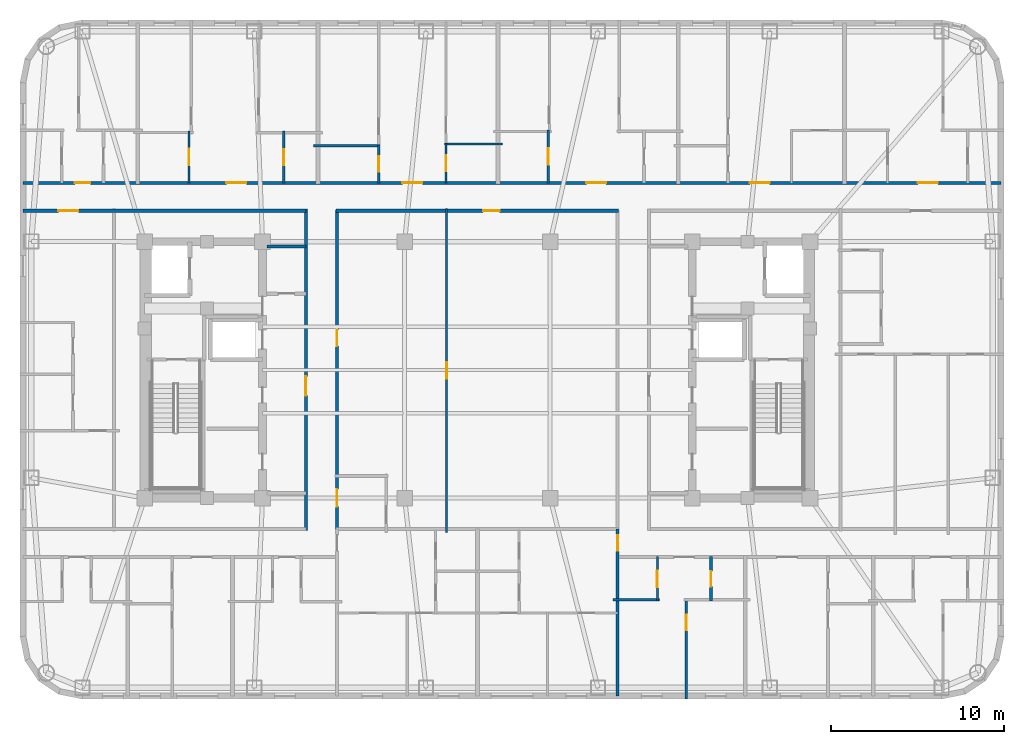
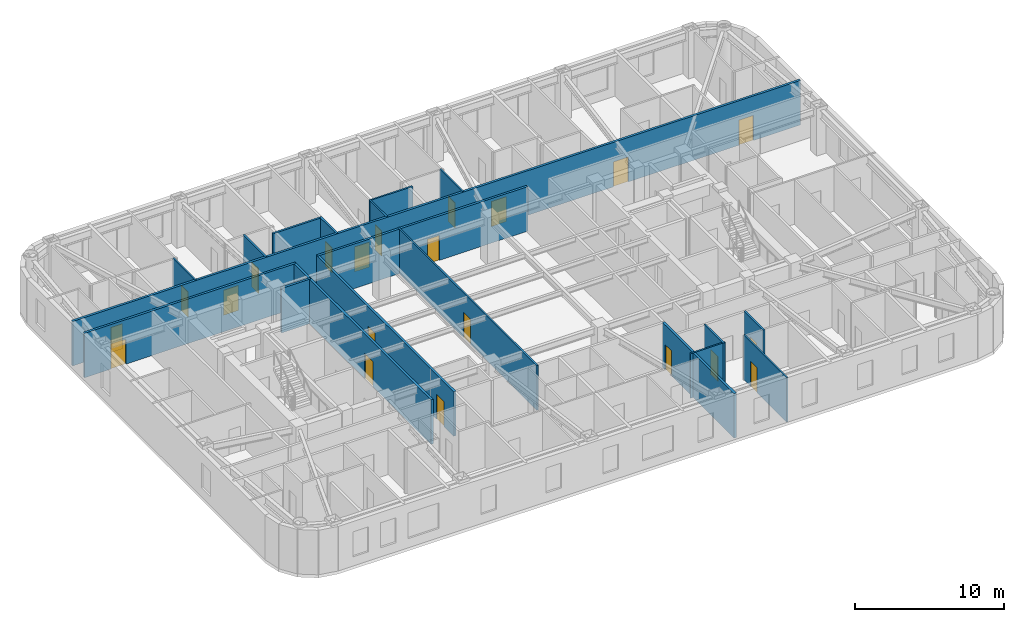
# One storey, part 5 of 11: 21 doors, 19 walls, 21 openings.
"""IFC4 building model written with IfcOpenShell, lengths in metres."""

from ifc_helpers import new_model, si_unit, direction, frame, frame_2d, origin, place, context, subcontext, project, spatial, rectangle, extrude, material, layer, layer_set, type_object, element, fill, save


model = new_model("IFC4")

# Units and contexts
model_context = context("Model", 3, precision=1e-05, world=origin(), true_north=direction((0.0, 1.0)))
body_context = subcontext(model_context, "Body", "Model", "MODEL_VIEW")
ifc_project = project(units=[si_unit("LENGTHUNIT", "METRE"), si_unit("AREAUNIT", "SQUARE_METRE"), si_unit("VOLUMEUNIT", "CUBIC_METRE"), si_unit("PLANEANGLEUNIT", "RADIAN"), si_unit("MASSUNIT", "GRAM", prefix="KILO")], contexts=[model_context])

# Site, building, storey
site_placement = place(None, origin())
site = spatial("IfcSite", under=ifc_project, at=site_placement, CompositionType="ELEMENT")
building_placement = place(site_placement, origin())
building = spatial("IfcBuilding", under=site, at=building_placement, Name="Voryun Gate Residences", CompositionType="ELEMENT")
storey_placement = place(building_placement, frame((0.0, 0.0, 223.60009765625)))
storey = spatial("IfcBuildingStorey", under=building, at=storey_placement, Name="L55", CompositionType="ELEMENT", Elevation=223.60009765625)

# Wall
ifc_material_1 = material(Name="Gypsum acoustic fireboard")
ifc_layer_1 = layer(ifc_material_1, 0.179931640625, Name="W_CORR_RATED_180")
ifc_layer_set_1 = layer_set([ifc_layer_1], Name="Gypsum acoustic fireboard")
wall_type_1 = type_object("IfcWallType", Name="W_CORR_RATED_180", PredefinedType="PARTITIONING", material=ifc_layer_set_1)
wall_1_placement = place(storey_placement, frame((-12.14990234375, 7.1201171875, 0.0), z_axis=(0.0, 0.0, 1.0), x_axis=(1.0, 0.0, 0.0)))
element("IfcWall", 1, at=wall_1_placement, inside=storey, type_object=wall_type_1, Name="Partition wall WP-L55-PLBN-W", PredefinedType="PARTITIONING", context=body_context, shape_type="SweptSolid", body=[
    extrude(rectangle(XDim=2.27001953125, YDim=0.179931640625, at=frame_2d((1.135009765625, 0.0))), origin(), (0.0, 0.0, 1.0), 3.64990234375),
])

# Wall, opening, door
wall_2_placement = place(storey_placement, frame((-9.89990234375, -9.280029296875, 0.0), z_axis=(0.0, 0.0, 1.0), x_axis=(0.0, 1.0, 0.0)))
wall_2 = element("IfcWall", 2, at=wall_2_placement, inside=storey, type_object=wall_type_1, Name="Partition wall WP-L55-PLBW-FULL", PredefinedType="PARTITIONING", context=body_context, shape_type="SweptSolid", body=[
    extrude(rectangle(XDim=18.56005859375, YDim=0.179931640625, at=frame_2d((9.280029296875, 0.0))), origin(), (0.0, 0.0, 1.0), 3.64990234375),
])
opening_1_placement = place(wall_2_placement, frame((7.802001953125, 0.0, 0.0)))
opening_1 = element("IfcOpeningElement", 3, at=opening_1_placement, cuts=wall_2, Name="Opening D-FD60-2", PredefinedType="OPENING", context=body_context, shape_type="SweptSolid", body=[
    extrude(rectangle(XDim=1.10009765625, YDim=2.050048828125, at=frame_2d((0.550048828125, 1.02490234375))), frame((0.0, 0.099853515625, 0.0), z_axis=(0.0, -1.0, 0.0), x_axis=(1.0, 0.0, 0.0)), (0.0, 0.0, 1.0), 0.199951171875),
])
ifc_material_2 = material(Name="Painted steel fire door", Category="steel")
door_type_1 = type_object("IfcDoorType", Name="DR_FD60_FFLOB_1100", OperationType="NOTDEFINED", PredefinedType="DOOR", material=ifc_material_2)
door_1_placement = place(opening_1_placement, origin())
door_1 = element("IfcDoor", 4, at=door_1_placement, inside=storey, type_object=door_type_1, Name="Door DR-L55-PLBW-COR", OperationType="SINGLE_SWING_LEFT", OverallHeight=2.050048828125, OverallWidth=1.10009765625, PredefinedType="DOOR", context=body_context, shape_type="SweptSolid", body=[
    extrude(rectangle(XDim=1.10009765625, YDim=2.050048828125, at=frame_2d((0.550048828125, 1.02490234375))), frame((0.0, 0.02490234375, 0.0), z_axis=(0.0, -1.0, 0.0), x_axis=(1.0, 0.0, 0.0)), (0.0, 0.0, 1.0), 0.050048828125),
])
fill(opening_1, door_1)

wall_3_placement = place(storey_placement, frame((-26.22998046875, 9.18994140625, 0.0), z_axis=(0.0, 0.0, 1.0), x_axis=(1.0, 0.0, 0.0)))
wall_3 = element("IfcWall", 5, at=wall_3_placement, inside=storey, type_object=wall_type_1, Name="Partition wall WP-L55-CWING-WN", PredefinedType="PARTITIONING", context=body_context, shape_type="SweptSolid", body=[
    extrude(rectangle(XDim=16.35009765625, YDim=0.179931640625, at=frame_2d((8.175048828125, 0.0))), origin(), (0.0, 0.0, 1.0), 3.64990234375),
])
opening_2_placement = place(wall_3_placement, frame((2.05078125, 0.0, 0.0)))
opening_2 = element("IfcOpeningElement", 6, at=opening_2_placement, cuts=wall_3, Name="Opening D-UNIT-1", PredefinedType="OPENING", context=body_context, shape_type="SweptSolid", body=[
    extrude(rectangle(XDim=1.14990234375, YDim=2.050048828125, at=frame_2d((0.574951171875, 1.02490234375))), frame((0.0, 0.099853515625, 0.0), z_axis=(0.0, -1.0, 0.0), x_axis=(1.0, 0.0, 0.0)), (0.0, 0.0, 1.0), 0.199951171875),
])
ifc_material_3 = material(Name="Armoured timber-clad fire door", Category="wood")
door_type_2 = type_object("IfcDoorType", Name="DR_UNIT_ENTRY_1150", OperationType="NOTDEFINED", PredefinedType="DOOR", material=ifc_material_3)
door_2_placement = place(opening_2_placement, origin())
door_2 = element("IfcDoor", 7, at=door_2_placement, inside=storey, type_object=door_type_2, Name="Door DR-L55-WE1N", OperationType="SINGLE_SWING_LEFT", OverallHeight=2.050048828125, OverallWidth=1.14990234375, PredefinedType="DOOR", context=body_context, shape_type="SweptSolid", body=[
    extrude(rectangle(XDim=1.14990234375, YDim=2.050048828125, at=frame_2d((0.574951171875, 1.02490234375))), frame((0.0, 0.02490234375, 0.0), z_axis=(0.0, -1.0, 0.0), x_axis=(1.0, 0.0, 0.0)), (0.0, 0.0, 1.0), 0.050048828125),
])
fill(opening_2, door_2)

wall_4_placement = place(storey_placement, frame((-8.14990234375, 9.18994140625, 0.0), z_axis=(0.0, 0.0, 1.0), x_axis=(1.0, 0.0, 0.0)))
wall_4 = element("IfcWall", 8, at=wall_4_placement, inside=storey, type_object=wall_type_1, Name="Partition wall WP-L55-Z3N", PredefinedType="PARTITIONING", context=body_context, shape_type="SweptSolid", body=[
    extrude(rectangle(XDim=16.2998046875, YDim=0.179931640625, at=frame_2d((8.14990234375, 0.0))), origin(), (0.0, 0.0, 1.0), 3.64990234375),
])
opening_3_placement = place(wall_4_placement, frame((8.489990234375, 0.0, 0.0)))
opening_3 = element("IfcOpeningElement", 9, at=opening_3_placement, cuts=wall_4, Name="Opening D-INT-1", PredefinedType="OPENING", context=body_context, shape_type="SweptSolid", body=[
    extrude(rectangle(XDim=0.949951171875, YDim=2.050048828125, at=frame_2d((0.47509765625, 1.02490234375))), frame((0.0, 0.099853515625, 0.0), z_axis=(0.0, -1.0, 0.0), x_axis=(1.0, 0.0, 0.0)), (0.0, 0.0, 1.0), 0.199951171875),
])
ifc_material_4 = material(Name="Architectural oak veneer")
door_type_3 = type_object("IfcDoorType", Name="DR_INT_ROOM_950", OperationType="NOTDEFINED", PredefinedType="DOOR", material=ifc_material_4)
door_3_placement = place(opening_3_placement, origin())
door_3 = element("IfcDoor", 10, at=door_3_placement, inside=storey, type_object=door_type_3, Name="Door DR-L55-CMIDZ3N", OperationType="SINGLE_SWING_LEFT", OverallHeight=2.050048828125, OverallWidth=0.949951171875, PredefinedType="DOOR", context=body_context, shape_type="SweptSolid", body=[
    extrude(rectangle(XDim=0.949951171875, YDim=2.050048828125, at=frame_2d((0.47509765625, 1.02490234375))), frame((0.0, 0.02490234375, 0.0), z_axis=(0.0, -1.0, 0.0), x_axis=(1.0, 0.0, 0.0)), (0.0, 0.0, 1.0), 0.050048828125),
])
fill(opening_3, door_3)

# Wall, openings, doors
wall_5_placement = place(storey_placement, frame((-8.10009765625, -9.22998046875, 0.0), z_axis=(0.0, 0.0, 1.0), x_axis=(0.0, 1.0, 0.0)))
wall_5 = element("IfcWall", 11, at=wall_5_placement, inside=storey, type_object=wall_type_1, Name="Partition wall WP-L55-Z3W", PredefinedType="PARTITIONING", context=body_context, shape_type="SweptSolid", body=[
    extrude(rectangle(XDim=18.4599609375, YDim=0.179931640625, at=frame_2d((9.22998046875, 0.0))), origin(), (0.0, 0.0, 1.0), 3.64990234375),
])
opening_4_placement = place(wall_5_placement, frame((1.345947265625, 0.0, 0.0)))
opening_4 = element("IfcOpeningElement", 12, at=opening_4_placement, cuts=wall_5, Name="Opening D-AWC-1", PredefinedType="OPENING", context=body_context, shape_type="SweptSolid", body=[
    extrude(rectangle(XDim=1.0, YDim=2.050048828125, at=frame_2d((0.5, 1.02490234375))), frame((0.0, 0.099853515625, 0.0), z_axis=(0.0, -1.0, 0.0), x_axis=(1.0, 0.0, 0.0)), (0.0, 0.0, 1.0), 0.199951171875),
])
opening_5_placement = place(wall_5_placement, frame((10.60107421875, 0.0, 0.0)))
opening_5 = element("IfcOpeningElement", 13, at=opening_5_placement, cuts=wall_5, Name="Opening D-INT-1", PredefinedType="OPENING", context=body_context, shape_type="SweptSolid", body=[
    extrude(rectangle(XDim=0.949951171875, YDim=2.050048828125, at=frame_2d((0.47509765625, 1.02490234375))), frame((0.0, 0.099853515625, 0.0), z_axis=(0.0, -1.0, 0.0), x_axis=(1.0, 0.0, 0.0)), (0.0, 0.0, 1.0), 0.199951171875),
])
ifc_material_5 = material(Name="Architectural oak veneer")
door_type_4 = type_object("IfcDoorType", Name="DR_ACC_WC_1000", OperationType="NOTDEFINED", PredefinedType="DOOR", material=ifc_material_5)
door_4_placement = place(opening_4_placement, origin())
door_4 = element("IfcDoor", 14, at=door_4_placement, inside=storey, type_object=door_type_4, Name="Door DR-L55-CMWC-D", OperationType="SINGLE_SWING_LEFT", OverallHeight=2.050048828125, OverallWidth=1.0, PredefinedType="DOOR", context=body_context, shape_type="SweptSolid", body=[
    extrude(rectangle(XDim=1.0, YDim=2.050048828125, at=frame_2d((0.5, 1.02490234375))), frame((0.0, 0.02490234375, 0.0), z_axis=(0.0, -1.0, 0.0), x_axis=(1.0, 0.0, 0.0)), (0.0, 0.0, 1.0), 0.050048828125),
])
fill(opening_4, door_4)
door_5_placement = place(opening_5_placement, origin())
door_5 = element("IfcDoor", 15, at=door_5_placement, inside=storey, type_object=door_type_3, Name="Door DR-L55-CMIDZ3W", OperationType="SINGLE_SWING_RIGHT", OverallHeight=2.050048828125, OverallWidth=0.949951171875, PredefinedType="DOOR", context=body_context, shape_type="SweptSolid", body=[
    extrude(rectangle(XDim=0.949951171875, YDim=2.050048828125, at=frame_2d((0.47509765625, 1.02490234375))), frame((0.0, 0.02490234375, 0.0), z_axis=(0.0, -1.0, 0.0), x_axis=(1.0, 0.0, 0.0)), (0.0, 0.0, 1.0), 0.050048828125),
])
fill(opening_5, door_5)

wall_6_placement = place(storey_placement, frame((-26.22998046875, 10.800048828125, 0.0), z_axis=(0.0, 0.0, 1.0), x_axis=(1.0, 0.0, 0.0)))
wall_6 = element("IfcWall", 16, at=wall_6_placement, inside=storey, type_object=wall_type_1, Name="Partition wall WP-L55-NCORR", PredefinedType="PARTITIONING", context=body_context, shape_type="SweptSolid", body=[
    extrude(rectangle(XDim=56.4599609375, YDim=0.179931640625, at=frame_2d((28.22998046875, 0.0))), origin(), (0.0, 0.0, 1.0), 3.64990234375),
])
opening_6_placement = place(wall_6_placement, frame((2.994140625, 0.0, 0.0)))
opening_6 = element("IfcOpeningElement", 17, at=opening_6_placement, cuts=wall_6, Name="Opening D-INT-2", PredefinedType="OPENING", context=body_context, shape_type="SweptSolid", body=[
    extrude(rectangle(XDim=0.89990234375, YDim=2.050048828125, at=frame_2d((0.449951171875, 1.02490234375))), frame((0.0, 0.099853515625, 0.0), z_axis=(0.0, -1.0, 0.0), x_axis=(1.0, 0.0, 0.0)), (0.0, 0.0, 1.0), 0.199951171875),
])
opening_7_placement = place(wall_6_placement, frame((11.74462890625, 0.0, 0.0)))
opening_7 = element("IfcOpeningElement", 18, at=opening_7_placement, cuts=wall_6, Name="Opening D-UNIT-1", PredefinedType="OPENING", context=body_context, shape_type="SweptSolid", body=[
    extrude(rectangle(XDim=1.14990234375, YDim=2.050048828125, at=frame_2d((0.574951171875, 1.02490234375))), frame((0.0, 0.099853515625, 0.0), z_axis=(0.0, -1.0, 0.0), x_axis=(1.0, 0.0, 0.0)), (0.0, 0.0, 1.0), 0.199951171875),
])
opening_8_placement = place(wall_6_placement, frame((21.907470703125, 0.0, 0.0)))
opening_8 = element("IfcOpeningElement", 19, at=opening_8_placement, cuts=wall_6, Name="Opening D-UNIT-1", PredefinedType="OPENING", context=body_context, shape_type="SweptSolid", body=[
    extrude(rectangle(XDim=1.14990234375, YDim=2.050048828125, at=frame_2d((0.574951171875, 1.02490234375))), frame((0.0, 0.099853515625, 0.0), z_axis=(0.0, -1.0, 0.0), x_axis=(1.0, 0.0, 0.0)), (0.0, 0.0, 1.0), 0.199951171875),
])
opening_9_placement = place(wall_6_placement, frame((32.51611328125, 0.0, 0.0)))
opening_9 = element("IfcOpeningElement", 20, at=opening_9_placement, cuts=wall_6, Name="Opening D-UNIT-1", PredefinedType="OPENING", context=body_context, shape_type="SweptSolid", body=[
    extrude(rectangle(XDim=1.14990234375, YDim=2.050048828125, at=frame_2d((0.574951171875, 1.02490234375))), frame((0.0, 0.099853515625, 0.0), z_axis=(0.0, -1.0, 0.0), x_axis=(1.0, 0.0, 0.0)), (0.0, 0.0, 1.0), 0.199951171875),
])
opening_10_placement = place(wall_6_placement, frame((41.956298828125, 0.0, 0.0)))
opening_10 = element("IfcOpeningElement", 21, at=opening_10_placement, cuts=wall_6, Name="Opening D-UNIT-1", PredefinedType="OPENING", context=body_context, shape_type="SweptSolid", body=[
    extrude(rectangle(XDim=1.14990234375, YDim=2.050048828125, at=frame_2d((0.574951171875, 1.02490234375))), frame((0.0, 0.099853515625, 0.0), z_axis=(0.0, -1.0, 0.0), x_axis=(1.0, 0.0, 0.0)), (0.0, 0.0, 1.0), 0.199951171875),
])
opening_11_placement = place(wall_6_placement, frame((51.656005859375, 0.0, 0.0)))
opening_11 = element("IfcOpeningElement", 22, at=opening_11_placement, cuts=wall_6, Name="Opening D-UNIT-1", PredefinedType="OPENING", context=body_context, shape_type="SweptSolid", body=[
    extrude(rectangle(XDim=1.14990234375, YDim=2.050048828125, at=frame_2d((0.574951171875, 1.02490234375))), frame((0.0, 0.099853515625, 0.0), z_axis=(0.0, -1.0, 0.0), x_axis=(1.0, 0.0, 0.0)), (0.0, 0.0, 1.0), 0.199951171875),
])
ifc_material_6 = material(Name="Architectural oak veneer")
door_type_5 = type_object("IfcDoorType", Name="DR_INT_BATH_900", OperationType="NOTDEFINED", PredefinedType="DOOR", material=ifc_material_6)
door_6_placement = place(opening_6_placement, origin())
door_6 = element("IfcDoor", 23, at=door_6_placement, inside=storey, type_object=door_type_5, Name="Door DR-L55-NENT-1", OperationType="SINGLE_SWING_LEFT", OverallHeight=2.050048828125, OverallWidth=0.89990234375, PredefinedType="DOOR", context=body_context, shape_type="SweptSolid", body=[
    extrude(rectangle(XDim=0.89990234375, YDim=2.050048828125, at=frame_2d((0.449951171875, 1.02490234375))), frame((0.0, 0.02490234375, 0.0), z_axis=(0.0, -1.0, 0.0), x_axis=(1.0, 0.0, 0.0)), (0.0, 0.0, 1.0), 0.050048828125),
])
fill(opening_6, door_6)
door_7_placement = place(opening_7_placement, origin())
door_7 = element("IfcDoor", 24, at=door_7_placement, inside=storey, type_object=door_type_2, Name="Door DR-L55-NENT-2", OperationType="SINGLE_SWING_RIGHT", OverallHeight=2.050048828125, OverallWidth=1.14990234375, PredefinedType="DOOR", context=body_context, shape_type="SweptSolid", body=[
    extrude(rectangle(XDim=1.14990234375, YDim=2.050048828125, at=frame_2d((0.574951171875, 1.02490234375))), frame((0.0, 0.02490234375, 0.0), z_axis=(0.0, -1.0, 0.0), x_axis=(1.0, 0.0, 0.0)), (0.0, 0.0, 1.0), 0.050048828125),
])
fill(opening_7, door_7)
door_8_placement = place(opening_8_placement, origin())
door_8 = element("IfcDoor", 25, at=door_8_placement, inside=storey, type_object=door_type_2, Name="Door DR-L55-NENT-3", OperationType="SINGLE_SWING_LEFT", OverallHeight=2.050048828125, OverallWidth=1.14990234375, PredefinedType="DOOR", context=body_context, shape_type="SweptSolid", body=[
    extrude(rectangle(XDim=1.14990234375, YDim=2.050048828125, at=frame_2d((0.574951171875, 1.02490234375))), frame((0.0, 0.02490234375, 0.0), z_axis=(0.0, -1.0, 0.0), x_axis=(1.0, 0.0, 0.0)), (0.0, 0.0, 1.0), 0.050048828125),
])
fill(opening_8, door_8)
door_9_placement = place(opening_9_placement, origin())
door_9 = element("IfcDoor", 26, at=door_9_placement, inside=storey, type_object=door_type_2, Name="Door DR-L55-NENT-4", OperationType="SINGLE_SWING_RIGHT", OverallHeight=2.050048828125, OverallWidth=1.14990234375, PredefinedType="DOOR", context=body_context, shape_type="SweptSolid", body=[
    extrude(rectangle(XDim=1.14990234375, YDim=2.050048828125, at=frame_2d((0.574951171875, 1.02490234375))), frame((0.0, 0.02490234375, 0.0), z_axis=(0.0, -1.0, 0.0), x_axis=(1.0, 0.0, 0.0)), (0.0, 0.0, 1.0), 0.050048828125),
])
fill(opening_9, door_9)
door_10_placement = place(opening_10_placement, origin())
door_10 = element("IfcDoor", 27, at=door_10_placement, inside=storey, type_object=door_type_2, Name="Door DR-L55-NENT-5", OperationType="SINGLE_SWING_LEFT", OverallHeight=2.050048828125, OverallWidth=1.14990234375, PredefinedType="DOOR", context=body_context, shape_type="SweptSolid", body=[
    extrude(rectangle(XDim=1.14990234375, YDim=2.050048828125, at=frame_2d((0.574951171875, 1.02490234375))), frame((0.0, 0.02490234375, 0.0), z_axis=(0.0, -1.0, 0.0), x_axis=(1.0, 0.0, 0.0)), (0.0, 0.0, 1.0), 0.050048828125),
])
fill(opening_10, door_10)
door_11_placement = place(opening_11_placement, origin())
door_11 = element("IfcDoor", 28, at=door_11_placement, inside=storey, type_object=door_type_2, Name="Door DR-L55-NENT-6", OperationType="SINGLE_SWING_RIGHT", OverallHeight=2.050048828125, OverallWidth=1.14990234375, PredefinedType="DOOR", context=body_context, shape_type="SweptSolid", body=[
    extrude(rectangle(XDim=1.14990234375, YDim=2.050048828125, at=frame_2d((0.574951171875, 1.02490234375))), frame((0.0, 0.02490234375, 0.0), z_axis=(0.0, -1.0, 0.0), x_axis=(1.0, 0.0, 0.0)), (0.0, 0.0, 1.0), 0.050048828125),
])
fill(opening_11, door_11)

# Wall, opening, door
wall_7_placement = place(storey_placement, frame((8.10009765625, -18.830078125, 0.0), z_axis=(0.0, 0.0, 1.0), x_axis=(0.0, 1.0, 0.0)))
wall_7 = element("IfcWall", 29, at=wall_7_placement, inside=storey, type_object=wall_type_1, Name="Partition wall WP-L55-SZV-2", PredefinedType="PARTITIONING", context=body_context, shape_type="SweptSolid", body=[
    extrude(rectangle(XDim=9.64013671875, YDim=0.179931640625, at=frame_2d((4.820068359375, 0.0))), origin(), (0.0, 0.0, 1.0), 3.64990234375),
])
opening_12_placement = place(wall_7_placement, frame((8.389892578125, 0.0, 0.0)))
opening_12 = element("IfcOpeningElement", 30, at=opening_12_placement, cuts=wall_7, Name="Opening D-INT-2", PredefinedType="OPENING", context=body_context, shape_type="SweptSolid", body=[
    extrude(rectangle(XDim=0.89990234375, YDim=2.050048828125, at=frame_2d((0.449951171875, 1.02490234375))), frame((0.0, 0.099853515625, 0.0), z_axis=(0.0, -1.0, 0.0), x_axis=(1.0, 0.0, 0.0)), (0.0, 0.0, 1.0), 0.199951171875),
])
door_12_placement = place(opening_12_placement, origin())
door_12 = element("IfcDoor", 31, at=door_12_placement, inside=storey, type_object=door_type_5, Name="Door DR-L55-SZENT-2", OperationType="SINGLE_SWING_RIGHT", OverallHeight=2.050048828125, OverallWidth=0.89990234375, PredefinedType="DOOR", context=body_context, shape_type="SweptSolid", body=[
    extrude(rectangle(XDim=0.89990234375, YDim=2.050048828125, at=frame_2d((0.449951171875, 1.02490234375))), frame((0.0, 0.02490234375, 0.0), z_axis=(0.0, -1.0, 0.0), x_axis=(1.0, 0.0, 0.0)), (0.0, 0.0, 1.0), 0.050048828125),
])
fill(opening_12, door_12)

ifc_material_7 = material(Name="Gypsum acoustic partition")
ifc_layer_2 = layer(ifc_material_7, 0.125, Name="W_UNIT_PART_125")
ifc_layer_set_2 = layer_set([ifc_layer_2], Name="Gypsum acoustic partition")
wall_type_2 = type_object("IfcWallType", Name="W_UNIT_PART_125", PredefinedType="PARTITIONING", material=ifc_layer_set_2)
wall_8_placement = place(storey_placement, frame((-1.77294921875, -9.3701171875, 0.0), z_axis=(0.0, 0.0, 1.0), x_axis=(0.0, 1.0, 0.0)))
wall_8 = element("IfcWall", 32, at=wall_8_placement, inside=storey, type_object=wall_type_2, Name="Partition wall WP-L55-MIDX-0", PredefinedType="PARTITIONING", context=body_context, shape_type="SweptSolid", body=[
    extrude(rectangle(XDim=18.690185546875, YDim=0.125, at=frame_2d((9.34521484375, 0.0))), origin(), (0.0, 0.0, 1.0), 3.64990234375),
])
opening_13_placement = place(wall_8_placement, frame((8.8701171875, 0.0, 0.0)))
opening_13 = element("IfcOpeningElement", 33, at=opening_13_placement, cuts=wall_8, Name="Opening D-INT-1", PredefinedType="OPENING", context=body_context, shape_type="SweptSolid", body=[
    extrude(rectangle(XDim=0.949951171875, YDim=2.050048828125, at=frame_2d((0.47509765625, 1.02490234375))), frame((0.0, 0.072509765625, 0.0), z_axis=(0.0, -1.0, 0.0), x_axis=(1.0, 0.0, 0.0)), (0.0, 0.0, 1.0), 0.14501953125),
])
door_13_placement = place(opening_13_placement, origin())
door_13 = element("IfcDoor", 34, at=door_13_placement, inside=storey, type_object=door_type_3, Name="Door DR-L55-MIDX-0", OperationType="SINGLE_SWING_LEFT", OverallHeight=2.050048828125, OverallWidth=0.949951171875, PredefinedType="DOOR", context=body_context, shape_type="SweptSolid", body=[
    extrude(rectangle(XDim=0.949951171875, YDim=2.050048828125, at=frame_2d((0.47509765625, 1.02490234375))), frame((0.0, 0.02490234375, 0.0), z_axis=(0.0, -1.0, 0.0), x_axis=(1.0, 0.0, 0.0)), (0.0, 0.0, 1.0), 0.050048828125),
])
fill(opening_13, door_13)

wall_9_placement = place(storey_placement, frame((-16.64111328125, 10.780029296875, 0.0), z_axis=(0.0, 0.0, 1.0), x_axis=(0.0, 1.0, 0.0)))
wall_9 = element("IfcWall", 35, at=wall_9_placement, inside=storey, type_object=wall_type_2, Name="Partition wall WP-L55-N2-IVK", PredefinedType="PARTITIONING", context=body_context, shape_type="SweptSolid", body=[
    extrude(rectangle(XDim=3.0, YDim=0.125, at=frame_2d((1.5, 0.0))), origin(), (0.0, 0.0, 1.0), 3.64990234375),
])
opening_14_placement = place(wall_9_placement, frame((1.02490234375, 0.0, 0.0)))
opening_14 = element("IfcOpeningElement", 36, at=opening_14_placement, cuts=wall_9, Name="Opening D-INT-1", PredefinedType="OPENING", context=body_context, shape_type="SweptSolid", body=[
    extrude(rectangle(XDim=0.949951171875, YDim=2.050048828125, at=frame_2d((0.47509765625, 1.02490234375))), frame((0.0, 0.072509765625, 0.0), z_axis=(0.0, -1.0, 0.0), x_axis=(1.0, 0.0, 0.0)), (0.0, 0.0, 1.0), 0.14501953125),
])
door_14_placement = place(opening_14_placement, origin())
door_14 = element("IfcDoor", 37, at=door_14_placement, inside=storey, type_object=door_type_3, Name="Door DR-L55-N2-DK", OperationType="SINGLE_SWING_LEFT", OverallHeight=2.050048828125, OverallWidth=0.949951171875, PredefinedType="DOOR", context=body_context, shape_type="SweptSolid", body=[
    extrude(rectangle(XDim=0.949951171875, YDim=2.050048828125, at=frame_2d((0.47509765625, 1.02490234375))), frame((0.0, 0.02490234375, 0.0), z_axis=(0.0, -1.0, 0.0), x_axis=(1.0, 0.0, 0.0)), (0.0, 0.0, 1.0), 0.050048828125),
])
fill(opening_14, door_14)

# Wall
wall_10_placement = place(storey_placement, frame((-1.889892578125, 13.0400390625, 0.0), z_axis=(0.0, 0.0, 1.0), x_axis=(1.0, 0.0, 0.0)))
element("IfcWall", 38, at=wall_10_placement, inside=storey, type_object=wall_type_2, Name="Partition wall WP-L55-N3-RHY", PredefinedType="PARTITIONING", context=body_context, shape_type="SweptSolid", body=[
    extrude(rectangle(XDim=3.349853515625, YDim=0.125, at=frame_2d((1.6748046875, 0.0))), origin(), (0.0, 0.0, 1.0), 3.64990234375),
])

# Wall, opening, door
wall_11_placement = place(storey_placement, frame((-1.81005859375, 10.780029296875, 0.0), z_axis=(0.0, 0.0, 1.0), x_axis=(0.0, 1.0, 0.0)))
wall_11 = element("IfcWall", 39, at=wall_11_placement, inside=storey, type_object=wall_type_2, Name="Partition wall WP-L55-N3-RVX1", PredefinedType="PARTITIONING", context=body_context, shape_type="SweptSolid", body=[
    extrude(rectangle(XDim=2.300048828125, YDim=0.125, at=frame_2d((1.14990234375, 0.0))), origin(), (0.0, 0.0, 1.0), 3.64990234375),
])
opening_15_placement = place(wall_11_placement, frame((0.699951171875, 0.0, 0.0)))
opening_15 = element("IfcOpeningElement", 40, at=opening_15_placement, cuts=wall_11, Name="Opening D-INT-2", PredefinedType="OPENING", context=body_context, shape_type="SweptSolid", body=[
    extrude(rectangle(XDim=0.89990234375, YDim=2.050048828125, at=frame_2d((0.449951171875, 1.02490234375))), frame((0.0, 0.072509765625, 0.0), z_axis=(0.0, -1.0, 0.0), x_axis=(1.0, 0.0, 0.0)), (0.0, 0.0, 1.0), 0.14501953125),
])
door_15_placement = place(opening_15_placement, origin())
door_15 = element("IfcDoor", 41, at=door_15_placement, inside=storey, type_object=door_type_5, Name="Door DR-L55-N3-DK", OperationType="SINGLE_SWING_RIGHT", OverallHeight=2.050048828125, OverallWidth=0.89990234375, PredefinedType="DOOR", context=body_context, shape_type="SweptSolid", body=[
    extrude(rectangle(XDim=0.89990234375, YDim=2.050048828125, at=frame_2d((0.449951171875, 1.02490234375))), frame((0.0, 0.02490234375, 0.0), z_axis=(0.0, -1.0, 0.0), x_axis=(1.0, 0.0, 0.0)), (0.0, 0.0, 1.0), 0.050048828125),
])
fill(opening_15, door_15)

wall_12_placement = place(storey_placement, frame((4.096923828125, 10.780029296875, 0.0), z_axis=(0.0, 0.0, 1.0), x_axis=(0.0, 1.0, 0.0)))
wall_12 = element("IfcWall", 42, at=wall_12_placement, inside=storey, type_object=wall_type_2, Name="Partition wall WP-L55-N4-IVK", PredefinedType="PARTITIONING", context=body_context, shape_type="SweptSolid", body=[
    extrude(rectangle(XDim=3.069091796875, YDim=0.125, at=frame_2d((1.53466796875, 0.0))), origin(), (0.0, 0.0, 1.0), 3.64990234375),
])
opening_16_placement = place(wall_12_placement, frame((1.0595703125, 0.0, 0.0)))
opening_16 = element("IfcOpeningElement", 43, at=opening_16_placement, cuts=wall_12, Name="Opening D-INT-1", PredefinedType="OPENING", context=body_context, shape_type="SweptSolid", body=[
    extrude(rectangle(XDim=0.949951171875, YDim=2.050048828125, at=frame_2d((0.47509765625, 1.02490234375))), frame((0.0, 0.072509765625, 0.0), z_axis=(0.0, -1.0, 0.0), x_axis=(1.0, 0.0, 0.0)), (0.0, 0.0, 1.0), 0.14501953125),
])
door_16_placement = place(opening_16_placement, origin())
door_16 = element("IfcDoor", 44, at=door_16_placement, inside=storey, type_object=door_type_3, Name="Door DR-L55-N4-DK", OperationType="SINGLE_SWING_LEFT", OverallHeight=2.050048828125, OverallWidth=0.949951171875, PredefinedType="DOOR", context=body_context, shape_type="SweptSolid", body=[
    extrude(rectangle(XDim=0.949951171875, YDim=2.050048828125, at=frame_2d((0.47509765625, 1.02490234375))), frame((0.0, 0.02490234375, 0.0), z_axis=(0.0, -1.0, 0.0), x_axis=(1.0, 0.0, 0.0)), (0.0, 0.0, 1.0), 0.050048828125),
])
fill(opening_16, door_16)

wall_13_placement = place(storey_placement, frame((12.055908203125, -18.97998046875, 0.0), z_axis=(0.0, 0.0, 1.0), x_axis=(0.0, 1.0, 0.0)))
wall_13 = element("IfcWall", 45, at=wall_13_placement, inside=storey, type_object=wall_type_2, Name="Partition wall WP-L55-S5-OVR", PredefinedType="PARTITIONING", context=body_context, shape_type="SweptSolid", body=[
    extrude(rectangle(XDim=5.794921875, YDim=0.125, at=frame_2d((2.8974609375, 0.0))), origin(), (0.0, 0.0, 1.0), 3.64990234375),
])
opening_17_placement = place(wall_13_placement, frame((3.9541015625, 0.0, 0.0)))
opening_17 = element("IfcOpeningElement", 46, at=opening_17_placement, cuts=wall_13, Name="Opening D-INT-2", PredefinedType="OPENING", context=body_context, shape_type="SweptSolid", body=[
    extrude(rectangle(XDim=0.89990234375, YDim=2.050048828125, at=frame_2d((0.449951171875, 1.02490234375))), frame((0.0, 0.072509765625, 0.0), z_axis=(0.0, -1.0, 0.0), x_axis=(1.0, 0.0, 0.0)), (0.0, 0.0, 1.0), 0.14501953125),
])
door_17_placement = place(opening_17_placement, origin())
door_17 = element("IfcDoor", 47, at=door_17_placement, inside=storey, type_object=door_type_5, Name="Door DR-L55-S5-DMB", OperationType="SINGLE_SWING_RIGHT", OverallHeight=2.050048828125, OverallWidth=0.89990234375, PredefinedType="DOOR", context=body_context, shape_type="SweptSolid", body=[
    extrude(rectangle(XDim=0.89990234375, YDim=2.050048828125, at=frame_2d((0.449951171875, 1.02490234375))), frame((0.0, 0.02490234375, 0.0), z_axis=(0.0, -1.0, 0.0), x_axis=(1.0, 0.0, 0.0)), (0.0, 0.0, 1.0), 0.050048828125),
])
fill(opening_17, door_17)

wall_14_placement = place(storey_placement, frame((10.389892578125, -13.344970703125, 0.0), z_axis=(0.0, 0.0, 1.0), x_axis=(0.0, 1.0, 0.0)))
wall_14 = element("IfcWall", 48, at=wall_14_placement, inside=storey, type_object=wall_type_2, Name="Partition wall WP-L55-S5-IVK", PredefinedType="PARTITIONING", context=body_context, shape_type="SweptSolid", body=[
    extrude(rectangle(XDim=2.56494140625, YDim=0.125, at=frame_2d((1.282470703125, 0.0))), origin(), (0.0, 0.0, 1.0), 3.64990234375),
])
opening_18_placement = place(wall_14_placement, frame((0.8076171875, 0.0, 0.0)))
opening_18 = element("IfcOpeningElement", 49, at=opening_18_placement, cuts=wall_14, Name="Opening D-INT-1", PredefinedType="OPENING", context=body_context, shape_type="SweptSolid", body=[
    extrude(rectangle(XDim=0.949951171875, YDim=2.050048828125, at=frame_2d((0.47509765625, 1.02490234375))), frame((0.0, 0.072509765625, 0.0), z_axis=(0.0, -1.0, 0.0), x_axis=(1.0, 0.0, 0.0)), (0.0, 0.0, 1.0), 0.14501953125),
])
door_18_placement = place(opening_18_placement, origin())
door_18 = element("IfcDoor", 50, at=door_18_placement, inside=storey, type_object=door_type_3, Name="Door DR-L55-S5-DK", OperationType="SINGLE_SWING_LEFT", OverallHeight=2.050048828125, OverallWidth=0.949951171875, PredefinedType="DOOR", context=body_context, shape_type="SweptSolid", body=[
    extrude(rectangle(XDim=0.949951171875, YDim=2.050048828125, at=frame_2d((0.47509765625, 1.02490234375))), frame((0.0, 0.02490234375, 0.0), z_axis=(0.0, -1.0, 0.0), x_axis=(1.0, 0.0, 0.0)), (0.0, 0.0, 1.0), 0.050048828125),
])
fill(opening_18, door_18)

# Wall
wall_15_placement = place(storey_placement, frame((7.820068359375, -13.264892578125, 0.0), z_axis=(0.0, 0.0, 1.0), x_axis=(1.0, 0.0, 0.0)))
element("IfcWall", 51, at=wall_15_placement, inside=storey, type_object=wall_type_2, Name="Partition wall WP-L55-S5-HZK", PredefinedType="PARTITIONING", context=body_context, shape_type="SweptSolid", body=[
    extrude(rectangle(XDim=2.68994140625, YDim=0.125, at=frame_2d((1.344970703125, 0.0))), origin(), (0.0, 0.0, 1.0), 3.64990234375),
])

# Wall, opening, door
ifc_material_8 = material(Name="Gypsum moisture-resistant partition")
ifc_layer_3 = layer(ifc_material_8, 0.14990234375, Name="W_WET_PLUMB_150")
ifc_layer_set_3 = layer_set([ifc_layer_3], Name="Gypsum moisture-resistant partition")
wall_type_3 = type_object("IfcWallType", Name="W_WET_PLUMB_150", PredefinedType="PLUMBINGWALL", material=ifc_layer_set_3)
wall_16_placement = place(storey_placement, frame((-11.179931640625, 10.780029296875, 0.0), z_axis=(0.0, 0.0, 1.0), x_axis=(0.0, 1.0, 0.0)))
wall_16 = element("IfcWall", 52, at=wall_16_placement, inside=storey, type_object=wall_type_3, Name="Partition wall WP-L55-N2-IVB", PredefinedType="PLUMBINGWALL", context=body_context, shape_type="SweptSolid", body=[
    extrude(rectangle(XDim=3.0, YDim=0.14990234375, at=frame_2d((1.5, 0.0))), origin(), (0.0, 0.0, 1.0), 3.64990234375),
])
opening_19_placement = place(wall_16_placement, frame((1.050048828125, 0.0, 0.0)))
opening_19 = element("IfcOpeningElement", 53, at=opening_19_placement, cuts=wall_16, Name="Opening D-INT-2", PredefinedType="OPENING", context=body_context, shape_type="SweptSolid", body=[
    extrude(rectangle(XDim=0.89990234375, YDim=2.050048828125, at=frame_2d((0.449951171875, 1.02490234375))), frame((0.0, 0.0849609375, 0.0), z_axis=(0.0, -1.0, 0.0), x_axis=(1.0, 0.0, 0.0)), (0.0, 0.0, 1.0), 0.169921875),
])
door_19_placement = place(opening_19_placement, origin())
door_19 = element("IfcDoor", 54, at=door_19_placement, inside=storey, type_object=door_type_5, Name="Door DR-L55-N2-DB", OperationType="SINGLE_SWING_RIGHT", OverallHeight=2.050048828125, OverallWidth=0.89990234375, PredefinedType="DOOR", context=body_context, shape_type="SweptSolid", body=[
    extrude(rectangle(XDim=0.89990234375, YDim=2.050048828125, at=frame_2d((0.449951171875, 1.02490234375))), frame((0.0, 0.02490234375, 0.0), z_axis=(0.0, -1.0, 0.0), x_axis=(1.0, 0.0, 0.0)), (0.0, 0.0, 1.0), 0.050048828125),
])
fill(opening_19, door_19)

# Wall
wall_17_placement = place(storey_placement, frame((-9.4599609375, 12.93994140625, 0.0), z_axis=(0.0, 0.0, 1.0), x_axis=(1.0, 0.0, 0.0)))
element("IfcWall", 55, at=wall_17_placement, inside=storey, type_object=wall_type_3, Name="Partition wall WP-L55-N3-LHY", PredefinedType="PLUMBINGWALL", context=body_context, shape_type="SweptSolid", body=[
    extrude(rectangle(XDim=3.849853515625, YDim=0.14990234375, at=frame_2d((1.9248046875, 0.0))), origin(), (0.0, 0.0, 1.0), 3.64990234375),
])

# Wall, opening, door
wall_18_placement = place(storey_placement, frame((-5.68994140625, 10.780029296875, 0.0), z_axis=(0.0, 0.0, 1.0), x_axis=(0.0, 1.0, 0.0)))
wall_18 = element("IfcWall", 56, at=wall_18_placement, inside=storey, type_object=wall_type_3, Name="Partition wall WP-L55-N3-LVX1", PredefinedType="PLUMBINGWALL", context=body_context, shape_type="SweptSolid", body=[
    extrude(rectangle(XDim=2.199951171875, YDim=0.14990234375, at=frame_2d((1.10009765625, 0.0))), origin(), (0.0, 0.0, 1.0), 3.64990234375),
])
opening_20_placement = place(wall_18_placement, frame((0.64990234375, 0.0, 0.0)))
opening_20 = element("IfcOpeningElement", 57, at=opening_20_placement, cuts=wall_18, Name="Opening D-INT-2", PredefinedType="OPENING", context=body_context, shape_type="SweptSolid", body=[
    extrude(rectangle(XDim=0.89990234375, YDim=2.050048828125, at=frame_2d((0.449951171875, 1.02490234375))), frame((0.0, 0.0849609375, 0.0), z_axis=(0.0, -1.0, 0.0), x_axis=(1.0, 0.0, 0.0)), (0.0, 0.0, 1.0), 0.169921875),
])
door_20_placement = place(opening_20_placement, origin())
door_20 = element("IfcDoor", 58, at=door_20_placement, inside=storey, type_object=door_type_5, Name="Door DR-L55-N3-DB", OperationType="SINGLE_SWING_LEFT", OverallHeight=2.050048828125, OverallWidth=0.89990234375, PredefinedType="DOOR", context=body_context, shape_type="SweptSolid", body=[
    extrude(rectangle(XDim=0.89990234375, YDim=2.050048828125, at=frame_2d((0.449951171875, 1.02490234375))), frame((0.0, 0.02490234375, 0.0), z_axis=(0.0, -1.0, 0.0), x_axis=(1.0, 0.0, 0.0)), (0.0, 0.0, 1.0), 0.050048828125),
])
fill(opening_20, door_20)

wall_19_placement = place(storey_placement, frame((13.486083984375, -13.344970703125, 0.0), z_axis=(0.0, 0.0, 1.0), x_axis=(0.0, 1.0, 0.0)))
wall_19 = element("IfcWall", 59, at=wall_19_placement, inside=storey, type_object=wall_type_3, Name="Partition wall WP-L55-S5-IVB", PredefinedType="PLUMBINGWALL", context=body_context, shape_type="SweptSolid", body=[
    extrude(rectangle(XDim=2.56494140625, YDim=0.14990234375, at=frame_2d((1.282470703125, 0.0))), origin(), (0.0, 0.0, 1.0), 3.64990234375),
])
opening_21_placement = place(wall_19_placement, frame((0.83251953125, 0.0, 0.0)))
opening_21 = element("IfcOpeningElement", 60, at=opening_21_placement, cuts=wall_19, Name="Opening D-INT-2", PredefinedType="OPENING", context=body_context, shape_type="SweptSolid", body=[
    extrude(rectangle(XDim=0.89990234375, YDim=2.050048828125, at=frame_2d((0.449951171875, 1.02490234375))), frame((0.0, 0.0849609375, 0.0), z_axis=(0.0, -1.0, 0.0), x_axis=(1.0, 0.0, 0.0)), (0.0, 0.0, 1.0), 0.169921875),
])
door_21_placement = place(opening_21_placement, origin())
door_21 = element("IfcDoor", 61, at=door_21_placement, inside=storey, type_object=door_type_5, Name="Door DR-L55-S5-DB", OperationType="SINGLE_SWING_RIGHT", OverallHeight=2.050048828125, OverallWidth=0.89990234375, PredefinedType="DOOR", context=body_context, shape_type="SweptSolid", body=[
    extrude(rectangle(XDim=0.89990234375, YDim=2.050048828125, at=frame_2d((0.449951171875, 1.02490234375))), frame((0.0, 0.02490234375, 0.0), z_axis=(0.0, -1.0, 0.0), x_axis=(1.0, 0.0, 0.0)), (0.0, 0.0, 1.0), 0.050048828125),
])
fill(opening_21, door_21)

save(model, "model.ifc")
